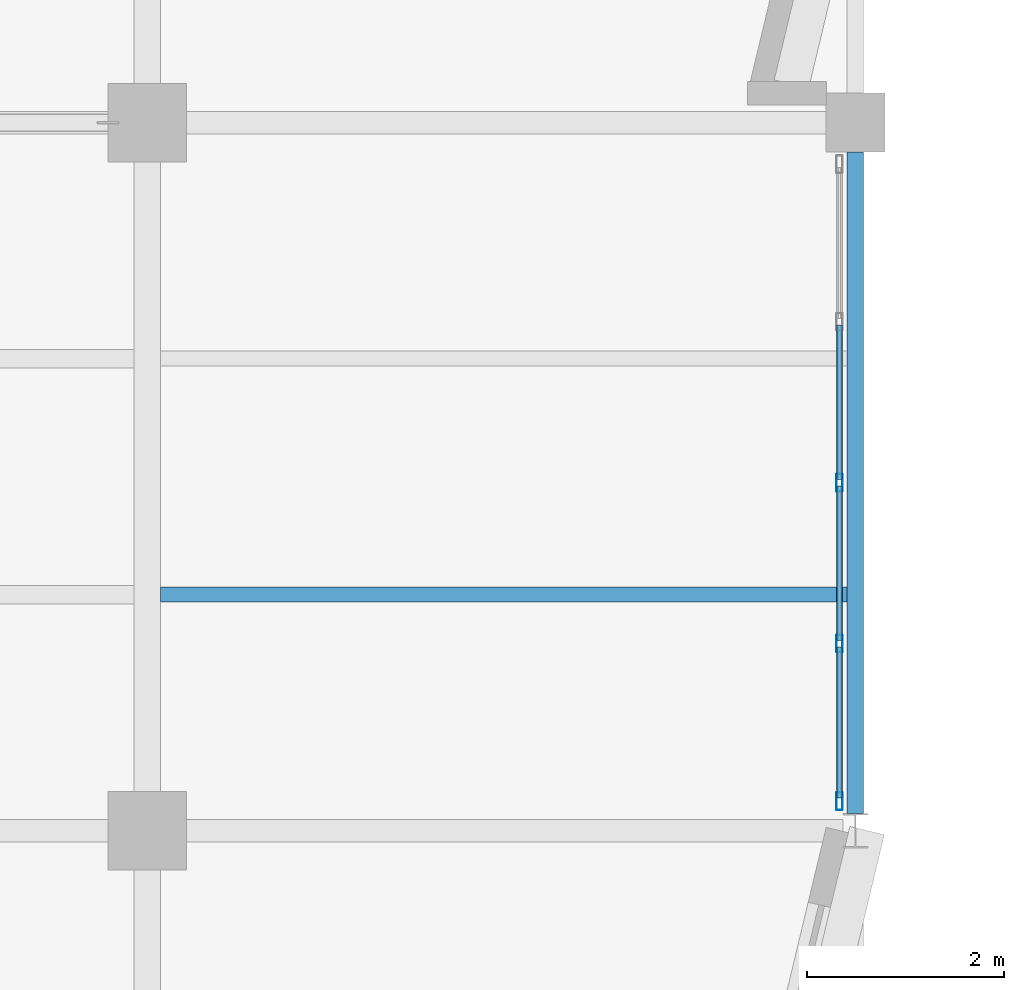
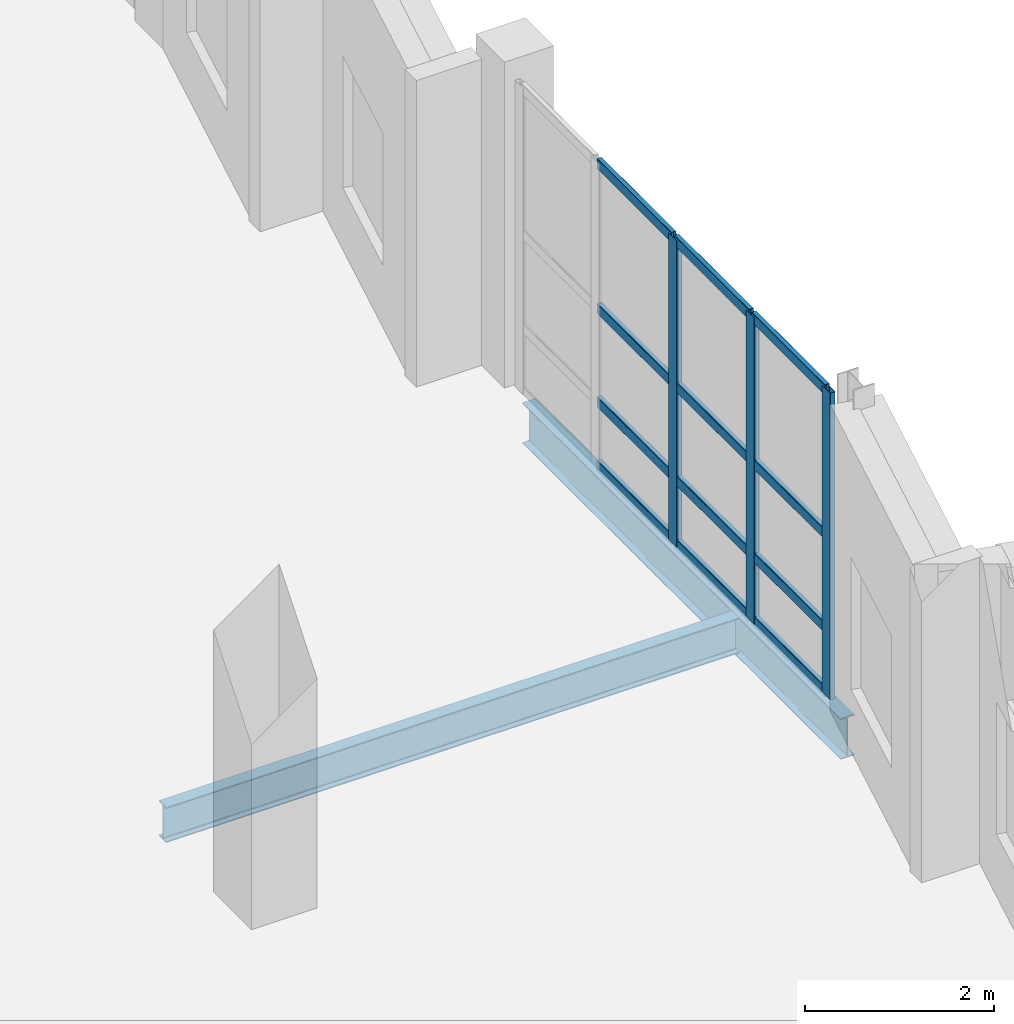
# One storey, part 26 of 94: 15 members, 2 beams, 1 element without a shape of its own.
"""IFC4 building model written with IfcOpenShell, lengths in metres."""

import ifcopenshell
import ifcopenshell.guid

model = None  # the IFC model being written
_history = None  # IfcOwnerHistory: only IFC2X3 demands one
_inside = {}  # id of a spatial element -> (the spatial element, [elements in it])
_under = {}  # id of a project, library or spatial element -> (it, [spatial elements below it])
_declared = {}  # id of a project -> (the project, [libraries it declares])
_typed = {}  # id of a type object -> (the type object, [elements of that type])
_made_of = {}  # id of a material, layer set ... -> (it, [elements and type objects made of it])


def new_model(schema):
    """Start an empty IFC model of exactly this schema.

    Asked for "IFC4X3", IfcOpenShell would pick the latest addendum, in which some entities
    have other attributes; the version numbers below select the first issue.
    IFC2X3 requires an IfcOwnerHistory on every rooted entity: one is made here for all.
    """
    global model, _history
    if schema == "IFC4X3":
        model = ifcopenshell.file(schema_version=(4, 3, 0, 0))
    else:
        model = ifcopenshell.file(schema=schema)
    _inside.clear()
    _under.clear()
    _declared.clear()
    _typed.clear()
    _made_of.clear()
    _history = None
    if model.schema == "IFC2X3":
        org = make("IfcOrganization", Name="unknown")
        user = make(
            "IfcPersonAndOrganization",
            ThePerson=make("IfcPerson", FamilyName="unknown"),
            TheOrganization=org,
        )
        app = make(
            "IfcApplication",
            ApplicationDeveloper=org,
            Version="unknown",
            ApplicationFullName="unknown",
            ApplicationIdentifier="unknown",
        )
        _history = make(
            "IfcOwnerHistory",
            OwningUser=user,
            OwningApplication=app,
            ChangeAction="ADDED",
            CreationDate=0,
        )
    return model


def make(cls, **values):
    """One entity of the class cls with the attributes given. An attribute that is None is left unset."""
    return model.create_entity(
        cls, **{name: value for name, value in values.items() if value is not None}
    )


def rooted(cls, **values):
    """An entity with a GlobalId (a new one), such as an element, a storey or a relation."""
    return make(cls, GlobalId=ifcopenshell.guid.new(), OwnerHistory=_history, **values)


def si_unit(unit_type, name, prefix=None):
    """IfcSIUnit, for example si_unit("LENGTHUNIT", "METRE", prefix="MILLI")."""
    return make("IfcSIUnit", UnitType=unit_type, Prefix=prefix, Name=name)


def assignment(units):
    """IfcUnitAssignment: the units of a project."""
    return None if units is None else make("IfcUnitAssignment", Units=units)


def point(xyz):
    """IfcCartesianPoint."""
    return None if xyz is None else make("IfcCartesianPoint", Coordinates=xyz)


def direction(xyz):
    """IfcDirection."""
    return None if xyz is None else make("IfcDirection", DirectionRatios=xyz)


def frame(location, z_axis=None, x_axis=None):
    """IfcAxis2Placement3D, a coordinate frame: its origin and axes. An axis left out is left unset."""
    return make(
        "IfcAxis2Placement3D",
        Location=point(location),
        Axis=direction(z_axis),
        RefDirection=direction(x_axis),
    )


def frame_2d(location, x_axis=None):
    """IfcAxis2Placement2D, a coordinate frame in the plane: its origin and x axis."""
    return make(
        "IfcAxis2Placement2D", Location=point(location), RefDirection=direction(x_axis)
    )


def origin():
    """The frame at (0, 0, 0) with its axes left unset."""
    return frame((0.0, 0.0, 0.0))


def origin_2d():
    """The frame at (0, 0) in the plane with its x axis left unset."""
    return frame_2d((0.0, 0.0))


def place(relative_to, where):
    """IfcLocalPlacement: puts the frame where relative to a parent placement (None: the world)."""
    return make(
        "IfcLocalPlacement", PlacementRelTo=relative_to, RelativePlacement=where
    )


def context(
    kind, dimensions, precision=None, world=None, true_north=None, identifier=None
):
    """IfcGeometricRepresentationContext, for example the 3D "Model" context."""
    return make(
        "IfcGeometricRepresentationContext",
        ContextIdentifier=identifier,
        ContextType=kind,
        CoordinateSpaceDimension=dimensions,
        Precision=precision,
        WorldCoordinateSystem=world,
        TrueNorth=true_north,
    )


def subcontext(parent, identifier, kind, view, scale=None):
    """IfcGeometricRepresentationSubContext, for example "Body" below "Model"."""
    return make(
        "IfcGeometricRepresentationSubContext",
        ContextIdentifier=identifier,
        ContextType=kind,
        ParentContext=parent,
        TargetScale=scale,
        TargetView=view,
    )


def project(units=None, contexts=None):
    """IfcProject with its units and contexts."""
    return rooted(
        "IfcProject",
        Name="project",
        RepresentationContexts=contexts,
        UnitsInContext=assignment(units),
    )


def spatial(cls, under=None, at=None, **own):
    """A site, building, storey or space (cls), placed at a placement, below another one or the project."""
    s = rooted(cls, ObjectPlacement=at, **own)
    if under is not None:
        _under.setdefault(under.id(), (under, []))[1].append(s)
    return s


def profile(cls, at=None, kind="AREA", **sizes):
    """A parametric profile (cls). Its sizes go by their IFC names, for example OverallWidth=200.0."""
    return make(cls, ProfileType=kind, Position=at, **sizes)


def hollow_rectangle(**sizes):
    """IfcRectangleHollowProfileDef."""
    return profile("IfcRectangleHollowProfileDef", **sizes)


def i_section(**sizes):
    """IfcIShapeProfileDef."""
    return profile("IfcIShapeProfileDef", **sizes)


def extrude(swept, where, along, depth):
    """IfcExtrudedAreaSolid: the profile swept, set in the frame where, extruded along a direction by depth."""
    return make(
        "IfcExtrudedAreaSolid",
        SweptArea=swept,
        Position=where,
        ExtrudedDirection=direction(along),
        Depth=depth,
    )


def shape(context_of_items, identifier, shape_type, items):
    """IfcShapeRepresentation: the items that make up one representation, for example the "Body"."""
    return make(
        "IfcShapeRepresentation",
        ContextOfItems=context_of_items,
        RepresentationIdentifier=identifier,
        RepresentationType=shape_type,
        Items=items,
    )


def material(Name=None, Category=None):
    """IfcMaterial."""
    return make("IfcMaterial", Name=Name, Category=Category)


def material_profile(
    of_material, cross_section, Name=None, Category=None, Priority=None
):
    """IfcMaterialProfile: a cross section and its material."""
    return make(
        "IfcMaterialProfile",
        Name=Name,
        Material=of_material,
        Profile=cross_section,
        Priority=Priority,
        Category=Category,
    )


def profile_set(profiles, Name=None, composite=None):
    """IfcMaterialProfileSet."""
    return make(
        "IfcMaterialProfileSet",
        Name=Name,
        MaterialProfiles=profiles,
        CompositeProfile=composite,
    )


def made_of(thing, what):
    """Note that an element or type object is made of a material, layer set ...; save() writes the relation."""
    if what is not None:
        _made_of.setdefault(what.id(), (what, []))[1].append(thing)
    return thing


def type_object(cls, material=None, **own):
    """A type object (cls), such as IfcWallType, which elements share."""
    return made_of(rooted(cls, **own), material)


def element(
    cls,
    number,
    at=None,
    inside=None,
    cuts=None,
    type_object=None,
    material=None,
    context=None,
    identifier="Body",
    shape_type=None,
    held_by="IfcProductDefinitionShape",
    body=None,
    shapes=None,
    **own,
):
    """One element of the class cls, such as IfcWall. Its Tag is "e" and its number.

    at: its placement. inside: the storey or other place that contains it. cuts: it is an
    opening in that element (IfcRelVoidsElement). A single representation is given by context,
    identifier, shape_type and body (its items); several are given by shapes. held_by: the class
    of the entity that holds the representations. save() writes the other relations.
    """
    e = rooted(cls, Tag="e%d" % number, ObjectPlacement=at, **own)
    if body is not None:
        shapes = [shape(context, identifier, shape_type, body)]
    if shapes is not None:
        e.Representation = make(held_by, Representations=shapes)
    if inside is not None:
        _inside.setdefault(inside.id(), (inside, []))[1].append(e)
    if cuts is not None:
        rooted(
            "IfcRelVoidsElement", RelatingBuildingElement=cuts, RelatedOpeningElement=e
        )
    if type_object is not None:
        _typed.setdefault(type_object.id(), (type_object, []))[1].append(e)
    return made_of(e, material)


def aggregate(whole, parts):
    """IfcRelAggregates: a whole, such as a stair, and the parts it consists of."""
    return rooted("IfcRelAggregates", RelatingObject=whole, RelatedObjects=parts)


def save(model, path):
    """Write the relations noted so far, then the file.

    IfcRelAggregates (storeys below a building ...), IfcRelContainedInSpatialStructure (elements
    in a storey), IfcRelDefinesByType, IfcRelAssociatesMaterial and IfcRelDeclares: one each for
    every whole, place, type object, material and project.
    """
    for whole, parts in _under.values():
        aggregate(whole, parts)
    for where, things in _inside.values():
        rooted(
            "IfcRelContainedInSpatialStructure",
            RelatedElements=things,
            RelatingStructure=where,
        )
    for kind, things in _typed.values():
        rooted("IfcRelDefinesByType", RelatedObjects=things, RelatingType=kind)
    for what, things in _made_of.values():
        rooted("IfcRelAssociatesMaterial", RelatedObjects=things, RelatingMaterial=what)
    for by, libraries in _declared.values():
        rooted("IfcRelDeclares", RelatingContext=by, RelatedDefinitions=libraries)
    model.write(path)


model = new_model("IFC4")

# Units and contexts
model_context = context("Model", 3, precision=1e-05, world=origin(), true_north=direction((0.0, 1.0)))
body_context = subcontext(model_context, "Body", "Model", "MODEL_VIEW")
ifc_project = project(units=[si_unit("LENGTHUNIT", "METRE"), si_unit("AREAUNIT", "SQUARE_METRE"), si_unit("VOLUMEUNIT", "CUBIC_METRE"), si_unit("PLANEANGLEUNIT", "RADIAN"), si_unit("MASSUNIT", "GRAM", prefix="KILO")], contexts=[model_context])

# Site, building, storey
site_placement = place(None, origin())
site = spatial("IfcSite", under=ifc_project, at=site_placement, CompositionType="ELEMENT")
building_placement = place(site_placement, origin())
building = spatial("IfcBuilding", under=site, at=building_placement, Name="Kalmorath City Hall", CompositionType="ELEMENT")
storey_placement = place(building_placement, frame((0.0, 0.0, 14.699951171875)))
storey = spatial("IfcBuildingStorey", under=building, at=storey_placement, Name="L03", CompositionType="ELEMENT", Elevation=14.699951171875)

# Curtain wall, members
ifc_material_1 = material(Name="Anodised aluminium and laminated glass", Category="aluminium")
curtain_wall_type = type_object("IfcCurtainWallType", Name="Unitised hurricane curtain wall 6543x3950 M1600", PredefinedType="NOTDEFINED", material=ifc_material_1)
curtain_wall_placement = place(storey_placement, origin())
curtain_wall = element("IfcCurtainWall", 1, at=curtain_wall_placement, inside=storey, type_object=curtain_wall_type, Name="L03 curtain wall CW-65X40M16 #154", PredefinedType="NOTDEFINED")
ifc_material_2 = material(Name="Anodised aluminium framing", Category="aluminium")
ifc_material_profile_1 = material_profile(ifc_material_2, hollow_rectangle(XDim=0.06494140625, YDim=0.179931640625, WallThickness=0.00390625, InnerFilletRadius=0.00390625, OuterFilletRadius=0.008056640625, at=origin_2d()), Name="ALU-MUL-180X65X4")
ifc_profile_set_1 = profile_set([ifc_material_profile_1], Name="Anodised aluminium framing")
member_type_1 = type_object("IfcMemberType", Name="Curtain-wall courtyard mullion 180x65", PredefinedType="MULLION", material=ifc_profile_set_1)
member_1_placement = place(storey_placement, frame((28.639892578125, 46.73828125, 0.0), z_axis=(0.0, 0.0, 1.0), x_axis=(1.0, 0.0, 0.0)))
member_1 = element("IfcMember", 2, at=member_1_placement, type_object=member_type_1, Name="CW-65X40M16 mullion 3", PredefinedType="MULLION", context=body_context, shape_type="SweptSolid", body=[
    extrude(hollow_rectangle(XDim=0.06494140625, YDim=0.179931640625, WallThickness=0.00390625, InnerFilletRadius=0.00390625, OuterFilletRadius=0.008056640625, at=origin_2d()), origin(), (0.0, 0.0, 1.0), 3.949951171875),
])
member_2_placement = place(storey_placement, frame((28.639892578125, 45.102294921875, 0.0), z_axis=(0.0, 0.0, 1.0), x_axis=(1.0, 0.0, 0.0)))
member_2 = element("IfcMember", 3, at=member_2_placement, type_object=member_type_1, Name="CW-65X40M16 mullion 4", PredefinedType="MULLION", context=body_context, shape_type="SweptSolid", body=[
    extrude(hollow_rectangle(XDim=0.06494140625, YDim=0.179931640625, WallThickness=0.00390625, InnerFilletRadius=0.00390625, OuterFilletRadius=0.008056640625, at=origin_2d()), origin(), (0.0, 0.0, 1.0), 3.949951171875),
])
member_3_placement = place(storey_placement, frame((28.639892578125, 43.4990234375, 0.0), z_axis=(0.0, 0.0, 1.0), x_axis=(1.0, 0.0, 0.0)))
member_3 = element("IfcMember", 4, at=member_3_placement, type_object=member_type_1, Name="CW-65X40M16 mullion 5", PredefinedType="MULLION", context=body_context, shape_type="SweptSolid", body=[
    extrude(hollow_rectangle(XDim=0.06494140625, YDim=0.179931640625, WallThickness=0.00390625, InnerFilletRadius=0.00390625, OuterFilletRadius=0.008056640625, at=origin_2d()), origin(), (0.0, 0.0, 1.0), 3.949951171875),
])
ifc_material_3 = material(Name="Anodised aluminium framing", Category="aluminium")
ifc_material_profile_2 = material_profile(ifc_material_3, hollow_rectangle(XDim=0.06005859375, YDim=0.1298828125, WallThickness=0.00341796875, InnerFilletRadius=0.00341796875, OuterFilletRadius=0.007080078125, at=origin_2d()), Name="ALU-TRN-130X60X3.5")
ifc_profile_set_2 = profile_set([ifc_material_profile_2], Name="Anodised aluminium framing")
member_type_2 = type_object("IfcMemberType", Name="Curtain-wall courtyard transom 130x60", PredefinedType="USERDEFINED", material=ifc_profile_set_2)
member_4_placement = place(storey_placement, frame((28.639892578125, 48.341552734375, 0.030029296875), z_axis=(0.0, -1.0, 0.0), x_axis=(1.0, 0.0, 0.0)))
member_4 = element("IfcMember", 5, at=member_4_placement, type_object=member_type_2, Name="CW-65X40M16 transom 2.1", ObjectType="TRANSOM", PredefinedType="USERDEFINED", context=body_context, shape_type="SweptSolid", body=[
    extrude(hollow_rectangle(XDim=0.06005859375, YDim=0.1298828125, WallThickness=0.00341796875, InnerFilletRadius=0.00341796875, OuterFilletRadius=0.007080078125, at=origin_2d()), origin(), (0.0, 0.0, 1.0), 1.57080078125),
])
member_5_placement = place(storey_placement, frame((28.639892578125, 48.341552734375, 0.85009765625), z_axis=(0.0, -1.0, 0.0), x_axis=(1.0, 0.0, 0.0)))
member_5 = element("IfcMember", 6, at=member_5_placement, type_object=member_type_2, Name="CW-65X40M16 transom 2.2", ObjectType="TRANSOM", PredefinedType="USERDEFINED", context=body_context, shape_type="SweptSolid", body=[
    extrude(hollow_rectangle(XDim=0.06005859375, YDim=0.1298828125, WallThickness=0.00341796875, InnerFilletRadius=0.00341796875, OuterFilletRadius=0.007080078125, at=origin_2d()), origin(), (0.0, 0.0, 1.0), 1.57080078125),
])
member_6_placement = place(storey_placement, frame((28.639892578125, 48.341552734375, 2.053955078125), z_axis=(0.0, -1.0, 0.0), x_axis=(1.0, 0.0, 0.0)))
member_6 = element("IfcMember", 7, at=member_6_placement, type_object=member_type_2, Name="CW-65X40M16 transom 2.3", ObjectType="TRANSOM", PredefinedType="USERDEFINED", context=body_context, shape_type="SweptSolid", body=[
    extrude(hollow_rectangle(XDim=0.06005859375, YDim=0.1298828125, WallThickness=0.00341796875, InnerFilletRadius=0.00341796875, OuterFilletRadius=0.007080078125, at=origin_2d()), origin(), (0.0, 0.0, 1.0), 1.57080078125),
])
member_7_placement = place(storey_placement, frame((28.639892578125, 48.341552734375, 3.920166015625), z_axis=(0.0, -1.0, 0.0), x_axis=(1.0, 0.0, 0.0)))
member_7 = element("IfcMember", 8, at=member_7_placement, type_object=member_type_2, Name="CW-65X40M16 transom 2.4", ObjectType="TRANSOM", PredefinedType="USERDEFINED", context=body_context, shape_type="SweptSolid", body=[
    extrude(hollow_rectangle(XDim=0.06005859375, YDim=0.1298828125, WallThickness=0.00341796875, InnerFilletRadius=0.00341796875, OuterFilletRadius=0.007080078125, at=origin_2d()), origin(), (0.0, 0.0, 1.0), 1.57080078125),
])
member_8_placement = place(storey_placement, frame((28.639892578125, 46.705810546875, 0.030029296875), z_axis=(0.0, -1.0, 0.0), x_axis=(1.0, 0.0, 0.0)))
member_8 = element("IfcMember", 9, at=member_8_placement, type_object=member_type_2, Name="CW-65X40M16 transom 3.1", ObjectType="TRANSOM", PredefinedType="USERDEFINED", context=body_context, shape_type="SweptSolid", body=[
    extrude(hollow_rectangle(XDim=0.06005859375, YDim=0.1298828125, WallThickness=0.00341796875, InnerFilletRadius=0.00341796875, OuterFilletRadius=0.007080078125, at=origin_2d()), origin(), (0.0, 0.0, 1.0), 1.571044921875),
])
member_9_placement = place(storey_placement, frame((28.639892578125, 46.705810546875, 0.85009765625), z_axis=(0.0, -1.0, 0.0), x_axis=(1.0, 0.0, 0.0)))
member_9 = element("IfcMember", 10, at=member_9_placement, type_object=member_type_2, Name="CW-65X40M16 transom 3.2", ObjectType="TRANSOM", PredefinedType="USERDEFINED", context=body_context, shape_type="SweptSolid", body=[
    extrude(hollow_rectangle(XDim=0.06005859375, YDim=0.1298828125, WallThickness=0.00341796875, InnerFilletRadius=0.00341796875, OuterFilletRadius=0.007080078125, at=origin_2d()), origin(), (0.0, 0.0, 1.0), 1.571044921875),
])
member_10_placement = place(storey_placement, frame((28.639892578125, 46.705810546875, 2.053955078125), z_axis=(0.0, -1.0, 0.0), x_axis=(1.0, 0.0, 0.0)))
member_10 = element("IfcMember", 11, at=member_10_placement, type_object=member_type_2, Name="CW-65X40M16 transom 3.3", ObjectType="TRANSOM", PredefinedType="USERDEFINED", context=body_context, shape_type="SweptSolid", body=[
    extrude(hollow_rectangle(XDim=0.06005859375, YDim=0.1298828125, WallThickness=0.00341796875, InnerFilletRadius=0.00341796875, OuterFilletRadius=0.007080078125, at=origin_2d()), origin(), (0.0, 0.0, 1.0), 1.571044921875),
])
member_11_placement = place(storey_placement, frame((28.639892578125, 46.705810546875, 3.920166015625), z_axis=(0.0, -1.0, 0.0), x_axis=(1.0, 0.0, 0.0)))
member_11 = element("IfcMember", 12, at=member_11_placement, type_object=member_type_2, Name="CW-65X40M16 transom 3.4", ObjectType="TRANSOM", PredefinedType="USERDEFINED", context=body_context, shape_type="SweptSolid", body=[
    extrude(hollow_rectangle(XDim=0.06005859375, YDim=0.1298828125, WallThickness=0.00341796875, InnerFilletRadius=0.00341796875, OuterFilletRadius=0.007080078125, at=origin_2d()), origin(), (0.0, 0.0, 1.0), 1.571044921875),
])
member_12_placement = place(storey_placement, frame((28.639892578125, 45.06982421875, 0.030029296875), z_axis=(0.0, -1.0, 0.0), x_axis=(1.0, 0.0, 0.0)))
member_12 = element("IfcMember", 13, at=member_12_placement, type_object=member_type_2, Name="CW-65X40M16 transom 4.1", ObjectType="TRANSOM", PredefinedType="USERDEFINED", context=body_context, shape_type="SweptSolid", body=[
    extrude(hollow_rectangle(XDim=0.06005859375, YDim=0.1298828125, WallThickness=0.00341796875, InnerFilletRadius=0.00341796875, OuterFilletRadius=0.007080078125, at=origin_2d()), origin(), (0.0, 0.0, 1.0), 1.538330078125),
])
member_13_placement = place(storey_placement, frame((28.639892578125, 45.06982421875, 0.85009765625), z_axis=(0.0, -1.0, 0.0), x_axis=(1.0, 0.0, 0.0)))
member_13 = element("IfcMember", 14, at=member_13_placement, type_object=member_type_2, Name="CW-65X40M16 transom 4.2", ObjectType="TRANSOM", PredefinedType="USERDEFINED", context=body_context, shape_type="SweptSolid", body=[
    extrude(hollow_rectangle(XDim=0.06005859375, YDim=0.1298828125, WallThickness=0.00341796875, InnerFilletRadius=0.00341796875, OuterFilletRadius=0.007080078125, at=origin_2d()), origin(), (0.0, 0.0, 1.0), 1.538330078125),
])
member_14_placement = place(storey_placement, frame((28.639892578125, 45.06982421875, 2.053955078125), z_axis=(0.0, -1.0, 0.0), x_axis=(1.0, 0.0, 0.0)))
member_14 = element("IfcMember", 15, at=member_14_placement, type_object=member_type_2, Name="CW-65X40M16 transom 4.3", ObjectType="TRANSOM", PredefinedType="USERDEFINED", context=body_context, shape_type="SweptSolid", body=[
    extrude(hollow_rectangle(XDim=0.06005859375, YDim=0.1298828125, WallThickness=0.00341796875, InnerFilletRadius=0.00341796875, OuterFilletRadius=0.007080078125, at=origin_2d()), origin(), (0.0, 0.0, 1.0), 1.538330078125),
])
member_15_placement = place(storey_placement, frame((28.639892578125, 45.06982421875, 3.920166015625), z_axis=(0.0, -1.0, 0.0), x_axis=(1.0, 0.0, 0.0)))
member_15 = element("IfcMember", 16, at=member_15_placement, type_object=member_type_2, Name="CW-65X40M16 transom 4.4", ObjectType="TRANSOM", PredefinedType="USERDEFINED", context=body_context, shape_type="SweptSolid", body=[
    extrude(hollow_rectangle(XDim=0.06005859375, YDim=0.1298828125, WallThickness=0.00341796875, InnerFilletRadius=0.00341796875, OuterFilletRadius=0.007080078125, at=origin_2d()), origin(), (0.0, 0.0, 1.0), 1.538330078125),
])
aggregate(curtain_wall, [member_1, member_2, member_3, member_4, member_5, member_6, member_7, member_8, member_9, member_10, member_11, member_12, member_13, member_14, member_15])

# Beams
ifc_material_4 = material(Name="Steel ASTM A992 Grade 50", Category="steel")
ifc_material_profile_3 = material_profile(ifc_material_4, i_section(OverallWidth=0.153076171875, OverallDepth=0.455078125, WebThickness=0.008056640625, FlangeThickness=0.01318359375, FilletRadius=0.013916015625, at=origin_2d()), Name="W18X40")
ifc_profile_set_3 = profile_set([ifc_material_profile_3], Name="Steel ASTM A992 Grade 50")
beam_type_1 = type_object("IfcBeamType", Name="Steel composite joist W18X40", PredefinedType="JOIST", material=ifc_profile_set_3)
beam_1_placement = place(storey_placement, frame((21.73388671875, 45.60009765625, -0.491455078125), z_axis=(1.0, 0.0, 0.0), x_axis=(0.0, 1.0, 0.0)))
element("IfcBeam", 17, at=beam_1_placement, inside=storey, type_object=beam_type_1, Name="L03 joist SJ4 4.7.1", PredefinedType="JOIST", context=body_context, shape_type="SweptSolid", body=[
    extrude(i_section(OverallWidth=0.153076171875, OverallDepth=0.455078125, WebThickness=0.008056640625, FlangeThickness=0.01318359375, FilletRadius=0.013916015625, at=origin_2d()), origin(), (0.0, 0.0, 1.0), 6.983642578125),
])
ifc_material_5 = material(Name="Steel ASTM A992 Grade 50", Category="steel")
ifc_material_profile_4 = material_profile(ifc_material_5, i_section(OverallWidth=0.1650390625, OverallDepth=0.52490234375, WebThickness=0.0087890625, FlangeThickness=0.011474609375, FilletRadius=0.014892578125, at=origin_2d()), Name="W21X44")
ifc_profile_set_4 = profile_set([ifc_material_profile_4], Name="Steel ASTM A992 Grade 50")
beam_type_2 = type_object("IfcBeamType", Name="Steel spandrel beam W21X44", PredefinedType="SPANDREL", material=ifc_profile_set_4)
beam_2_placement = place(storey_placement, frame((28.800048828125, 43.37646484375, -0.5263671875), z_axis=(0.0, 1.0, 0.0), x_axis=(-1.0, 0.0, 0.0)))
element("IfcBeam", 18, at=beam_2_placement, inside=storey, type_object=beam_type_2, Name="L03 girder SB4 Y5/7-8", PredefinedType="SPANDREL", context=body_context, shape_type="SweptSolid", body=[
    extrude(i_section(OverallWidth=0.1650390625, OverallDepth=0.52490234375, WebThickness=0.0087890625, FlangeThickness=0.011474609375, FilletRadius=0.014892578125, at=origin_2d()), origin(), (0.0, 0.0, 1.0), 6.7236328125),
])

save(model, "model.ifc")
